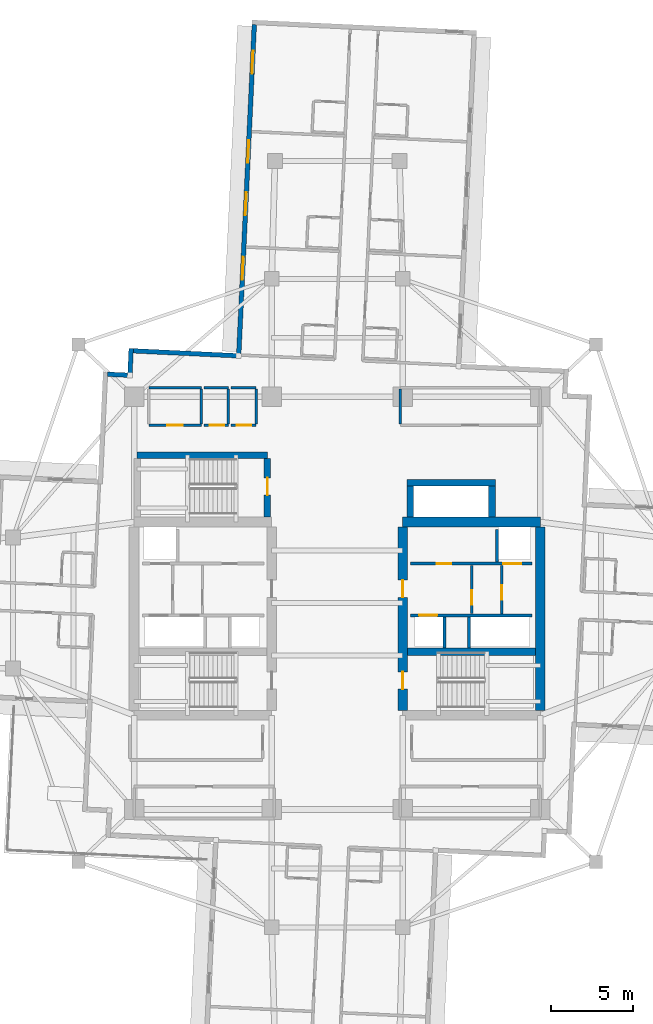
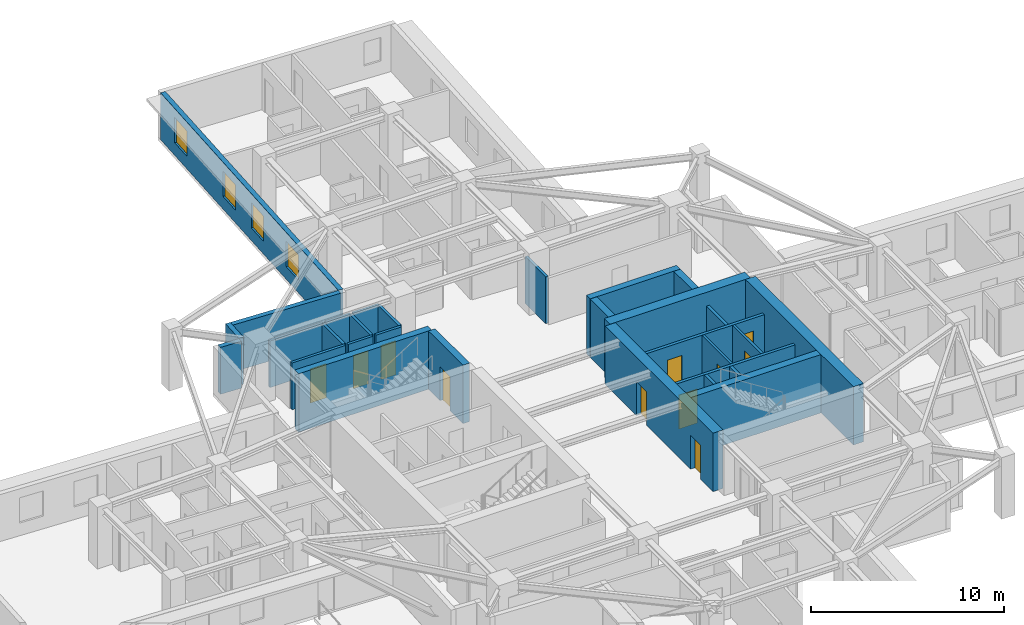
# One storey, part 6 of 14: 30 walls, 11 doors, 4 windows, 15 openings.
"""IFC4 building model written with IfcOpenShell, lengths in metres."""

from ifc_helpers import new_model, si_unit, direction, frame, frame_2d, origin, place, context, subcontext, project, spatial, rectangle, extrude, material, layer, layer_set, type_object, element, fill, save


model = new_model("IFC4")

# Units and contexts
model_context = context("Model", 3, precision=1e-05, world=origin(), true_north=direction((0.0, 1.0)))
body_context = subcontext(model_context, "Body", "Model", "MODEL_VIEW")
ifc_project = project(units=[si_unit("LENGTHUNIT", "METRE"), si_unit("AREAUNIT", "SQUARE_METRE"), si_unit("VOLUMEUNIT", "CUBIC_METRE"), si_unit("PLANEANGLEUNIT", "RADIAN"), si_unit("MASSUNIT", "GRAM", prefix="KILO")], contexts=[model_context])

# Site, building, storey
site_placement = place(None, origin())
site = spatial("IfcSite", under=ifc_project, at=site_placement, CompositionType="ELEMENT")
building_placement = place(site_placement, origin())
building = spatial("IfcBuilding", under=site, at=building_placement, Name="Qingluan Cross Belvedere", CompositionType="ELEMENT")
storey_placement = place(building_placement, frame((0.0, 0.0, 156.60009765625)))
storey = spatial("IfcBuildingStorey", under=building, at=storey_placement, Name="L39", CompositionType="ELEMENT", Elevation=156.60009765625)

# Walls
ifc_material_1 = material(Name="Concrete C50", Category="concrete")
ifc_layer_1 = layer(ifc_material_1, 0.449951171875, Name="CoreShearWall_450")
ifc_layer_set_1 = layer_set([ifc_layer_1], Name="Concrete C50")
wall_type_1 = type_object("IfcWallType", Name="CoreShearWall_450", PredefinedType="SHEAR", material=ifc_layer_set_1)
wall_1_placement = place(storey_placement, frame((4.304931640625, -2.9599609375, 0.0), z_axis=(0.0, 0.0, 1.0), x_axis=(1.0, 0.0, 0.0)))
element("IfcWall", 1, at=wall_1_placement, inside=storey, type_object=wall_type_1, Name="Split core E shear wall L39-M", PredefinedType="SHEAR", context=body_context, shape_type="SweptSolid", body=[
    extrude(rectangle(XDim=7.7900390625, YDim=0.449951171875, at=frame_2d((3.89501953125, 0.0))), origin(), (0.0, 0.0, 1.0), 3.699951171875),
])
wall_2_placement = place(storey_placement, frame((-12.219970703125, 9.0400390625, 0.0), z_axis=(0.0, 0.0, 1.0), x_axis=(1.0, 0.0, 0.0)))
element("IfcWall", 2, at=wall_2_placement, inside=storey, type_object=wall_type_1, Name="Stair ST3 structural wall N L39", PredefinedType="SHEAR", context=body_context, shape_type="SweptSolid", body=[
    extrude(rectangle(XDim=7.9599609375, YDim=0.39990234375, at=frame_2d((3.97998046875, 0.0))), origin(), (0.0, 0.0, 1.0), 3.699951171875),
])

# Wall, opening, door
wall_3_placement = place(storey_placement, frame((-4.260009765625, 5.2548828125, 0.0), z_axis=(0.0, 0.0, 1.0), x_axis=(0.0, 1.0, 0.0)))
wall_3 = element("IfcWall", 3, at=wall_3_placement, inside=storey, type_object=wall_type_1, Name="Stair ST3 structural wall E L39", PredefinedType="SHEAR", context=body_context, shape_type="SweptSolid", body=[
    extrude(rectangle(XDim=3.580078125, YDim=0.39990234375, at=frame_2d((1.7900390625, 0.0))), origin(), (0.0, 0.0, 1.0), 3.699951171875),
])
opening_1_placement = place(wall_3_placement, frame((1.344970703125, 0.0, 0.0)))
opening_1 = element("IfcOpeningElement", 4, at=opening_1_placement, cuts=wall_3, Name="Opening FD-B11", PredefinedType="OPENING", context=body_context, shape_type="SweptSolid", body=[
    extrude(rectangle(XDim=1.050048828125, YDim=2.14990234375, at=frame_2d((0.52490234375, 1.074951171875))), frame((0.0, 0.2099609375, 0.0), z_axis=(0.0, -1.0, 0.0), x_axis=(1.0, 0.0, 0.0)), (0.0, 0.0, 1.0), 0.419921875),
])
ifc_material_2 = material(Name="Steel Class B smoke-seal fire door", Category="steel")
door_type_1 = type_object("IfcDoorType", Name="StairLobbyFireDoor_FDB", OperationType="NOTDEFINED", PredefinedType="DOOR", material=ifc_material_2)
door_1_placement = place(opening_1_placement, origin())
door_1 = element("IfcDoor", 5, at=door_1_placement, inside=storey, type_object=door_type_1, Name="Smoke-proof stair ST3 fire door L39", OperationType="SINGLE_SWING_LEFT", OverallHeight=2.14990234375, OverallWidth=1.050048828125, PredefinedType="DOOR", context=body_context, shape_type="SweptSolid", body=[
    extrude(rectangle(XDim=1.050048828125, YDim=2.14990234375, at=frame_2d((0.52490234375, 1.074951171875))), frame((0.0, 0.02490234375, 0.0), z_axis=(0.0, -1.0, 0.0), x_axis=(1.0, 0.0, 0.0)), (0.0, 0.0, 1.0), 0.050048828125),
])
fill(opening_1, door_1)

# Walls
wall_4_placement = place(storey_placement, frame((4.449951171875, 5.2548828125, 0.0), z_axis=(0.0, 0.0, 1.0), x_axis=(0.0, 1.0, 0.0)))
element("IfcWall", 6, at=wall_4_placement, inside=storey, type_object=wall_type_1, Name="Express shuttle core wall L39-W", PredefinedType="SHEAR", context=body_context, shape_type="SweptSolid", body=[
    extrude(rectangle(XDim=1.885009765625, YDim=0.39990234375, at=frame_2d((0.9423828125, 0.0))), origin(), (0.0, 0.0, 1.0), 3.699951171875),
])
wall_5_placement = place(storey_placement, frame((4.25, 7.35009765625, 0.0), z_axis=(0.0, 0.0, 1.0), x_axis=(1.0, 0.0, 0.0)))
element("IfcWall", 7, at=wall_5_placement, inside=storey, type_object=wall_type_1, Name="Express shuttle core wall L39-N", PredefinedType="SHEAR", context=body_context, shape_type="SweptSolid", body=[
    extrude(rectangle(XDim=5.39990234375, YDim=0.39990234375, at=frame_2d((2.699951171875, 0.0))), origin(), (0.0, 0.0, 1.0), 3.699951171875),
])
wall_6_placement = place(storey_placement, frame((9.449951171875, 5.2548828125, 0.0), z_axis=(0.0, 0.0, 1.0), x_axis=(0.0, 1.0, 0.0)))
element("IfcWall", 8, at=wall_6_placement, inside=storey, type_object=wall_type_1, Name="Express shuttle core wall L39-E", PredefinedType="SHEAR", context=body_context, shape_type="SweptSolid", body=[
    extrude(rectangle(XDim=1.885009765625, YDim=0.39990234375, at=frame_2d((0.9423828125, 0.0))), origin(), (0.0, 0.0, 1.0), 3.699951171875),
])
ifc_material_3 = material(Name="Concrete C60", Category="concrete")
ifc_layer_2 = layer(ifc_material_3, 0.60009765625, Name="CoreShearWall_600")
ifc_layer_set_2 = layer_set([ifc_layer_2], Name="Concrete C60")
wall_type_2 = type_object("IfcWallType", Name="CoreShearWall_600", PredefinedType="SHEAR", material=ifc_layer_set_2)
wall_7_placement = place(storey_placement, frame((4.0, 4.949951171875, 0.0), z_axis=(0.0, 0.0, 1.0), x_axis=(1.0, 0.0, 0.0)))
element("IfcWall", 9, at=wall_7_placement, inside=storey, type_object=wall_type_2, Name="Split core E shear wall L39-N", PredefinedType="SHEAR", context=body_context, shape_type="SweptSolid", body=[
    extrude(rectangle(XDim=8.39990234375, YDim=0.60009765625, at=frame_2d((4.199951171875, 0.0))), origin(), (0.0, 0.0, 1.0), 3.699951171875),
])

# Wall, openings, doors
wall_8_placement = place(storey_placement, frame((4.0, -6.544921875, 0.0), z_axis=(0.0, 0.0, 1.0), x_axis=(0.0, 1.0, 0.0)))
wall_8 = element("IfcWall", 10, at=wall_8_placement, inside=storey, type_object=wall_type_2, Name="Split core E shear wall L39-W", PredefinedType="SHEAR", context=body_context, shape_type="SweptSolid", body=[
    extrude(rectangle(XDim=11.18994140625, YDim=0.60009765625, at=frame_2d((5.594970703125, 0.0))), origin(), (0.0, 0.0, 1.0), 3.699951171875),
])
opening_2_placement = place(wall_8_placement, frame((1.294921875, 0.0, 0.0)))
opening_2 = element("IfcOpeningElement", 11, at=opening_2_placement, cuts=wall_8, Name="Opening FD-B11", PredefinedType="OPENING", context=body_context, shape_type="SweptSolid", body=[
    extrude(rectangle(XDim=1.050048828125, YDim=2.14990234375, at=frame_2d((0.52490234375, 1.074951171875))), frame((0.0, 0.31005859375, 0.0), z_axis=(0.0, -1.0, 0.0), x_axis=(1.0, 0.0, 0.0)), (0.0, 0.0, 1.0), 0.6201171875),
])
opening_3_placement = place(wall_8_placement, frame((6.89501953125, 0.0, 0.0)))
opening_3 = element("IfcOpeningElement", 12, at=opening_3_placement, cuts=wall_8, Name="Opening FD-B11", PredefinedType="OPENING", context=body_context, shape_type="SweptSolid", body=[
    extrude(rectangle(XDim=1.050048828125, YDim=2.14990234375, at=frame_2d((0.52490234375, 1.074951171875))), frame((0.0, 0.31005859375, 0.0), z_axis=(0.0, -1.0, 0.0), x_axis=(1.0, 0.0, 0.0)), (0.0, 0.0, 1.0), 0.6201171875),
])
door_2_placement = place(opening_2_placement, origin())
door_2 = element("IfcDoor", 13, at=door_2_placement, inside=storey, type_object=door_type_1, Name="Smoke-proof stair ST2 fire door L39", OperationType="SINGLE_SWING_RIGHT", OverallHeight=2.14990234375, OverallWidth=1.050048828125, PredefinedType="DOOR", context=body_context, shape_type="SweptSolid", body=[
    extrude(rectangle(XDim=1.050048828125, YDim=2.14990234375, at=frame_2d((0.52490234375, 1.074951171875))), frame((0.0, 0.02490234375, 0.0), z_axis=(0.0, -1.0, 0.0), x_axis=(1.0, 0.0, 0.0)), (0.0, 0.0, 1.0), 0.050048828125),
])
fill(opening_2, door_2)
door_3_placement = place(opening_3_placement, origin())
door_3 = element("IfcDoor", 14, at=door_3_placement, inside=storey, type_object=door_type_1, Name="Firefighting lobby East fire door L39", OperationType="SINGLE_SWING_RIGHT", OverallHeight=2.14990234375, OverallWidth=1.050048828125, PredefinedType="DOOR", context=body_context, shape_type="SweptSolid", body=[
    extrude(rectangle(XDim=1.050048828125, YDim=2.14990234375, at=frame_2d((0.52490234375, 1.074951171875))), frame((0.0, 0.02490234375, 0.0), z_axis=(0.0, -1.0, 0.0), x_axis=(1.0, 0.0, 0.0)), (0.0, 0.0, 1.0), 0.050048828125),
])
fill(opening_3, door_3)

# Wall
wall_9_placement = place(storey_placement, frame((12.39990234375, -6.544921875, 0.0), z_axis=(0.0, 0.0, 1.0), x_axis=(0.0, 1.0, 0.0)))
element("IfcWall", 15, at=wall_9_placement, inside=storey, type_object=wall_type_2, Name="Split core E shear wall L39-E", PredefinedType="SHEAR", context=body_context, shape_type="SweptSolid", body=[
    extrude(rectangle(XDim=11.18994140625, YDim=0.60009765625, at=frame_2d((5.594970703125, 0.0))), origin(), (0.0, 0.0, 1.0), 3.699951171875),
])

# Wall, opening, door
ifc_material_4 = material(Name="Gypsum plasterboard on steel stud acoustic partition", Category="steel")
ifc_layer_3 = layer(ifc_material_4, 0.159912109375, Name="CorridorPartition_160")
ifc_layer_set_3 = layer_set([ifc_layer_3], Name="Gypsum plasterboard on steel stud acoustic partition")
wall_type_3 = type_object("IfcWallType", Name="CorridorPartition_160", PredefinedType="PARTITIONING", material=ifc_layer_set_3)
wall_10_placement = place(storey_placement, frame((10.050048828125, -0.652099609375, 0.0), z_axis=(0.0, 0.0, 1.0), x_axis=(0.0, 1.0, 0.0)))
wall_10 = element("IfcWall", 16, at=wall_10_placement, inside=storey, type_object=wall_type_3, Name="Partition L39:ev", PredefinedType="PARTITIONING", context=body_context, shape_type="SweptSolid", body=[
    extrude(rectangle(XDim=2.962158203125, YDim=0.139892578125, at=frame_2d((1.48095703125, 0.0))), origin(), (0.0, 0.0, 1.0), 2.9599609375),
])
opening_4_placement = place(wall_10_placement, frame((0.85009765625, 0.0, 0.0)))
opening_4 = element("IfcOpeningElement", 17, at=opening_4_placement, cuts=wall_10, Name="Opening FD-B10", PredefinedType="OPENING", context=body_context, shape_type="SweptSolid", body=[
    extrude(rectangle(XDim=0.8798828125, YDim=2.10009765625, at=frame_2d((0.43994140625, 1.050048828125))), frame((0.0, 0.079833984375, 0.0), z_axis=(0.0, -1.0, 0.0), x_axis=(1.0, 0.0, 0.0)), (0.0, 0.0, 1.0), 0.159912109375),
])
ifc_material_5 = material(Name="Steel Class B service fire door", Category="steel")
door_type_2 = type_object("IfcDoorType", Name="RiserServiceFireDoor_FDB", OperationType="NOTDEFINED", PredefinedType="DOOR", material=ifc_material_5)
door_4_placement = place(opening_4_placement, origin())
door_4 = element("IfcDoor", 18, at=door_4_placement, inside=storey, type_object=door_type_2, Name="Service closet inner door L39", OperationType="SINGLE_SWING_LEFT", OverallHeight=2.10009765625, OverallWidth=0.8798828125, PredefinedType="DOOR", context=body_context, shape_type="SweptSolid", body=[
    extrude(rectangle(XDim=0.8798828125, YDim=2.10009765625, at=frame_2d((0.43994140625, 1.050048828125))), frame((0.0, 0.02490234375, 0.0), z_axis=(0.0, -1.0, 0.0), x_axis=(1.0, 0.0, 0.0)), (0.0, 0.0, 1.0), 0.050048828125),
])
fill(opening_4, door_4)

wall_11_placement = place(storey_placement, frame((-11.5, 10.85009765625, 0.0), z_axis=(0.0, 0.0, 1.0), x_axis=(1.0, 0.0, 0.0)))
wall_11 = element("IfcWall", 19, at=wall_11_placement, inside=storey, type_object=wall_type_3, Name="Partition L39:q_nw_occ:S", PredefinedType="PARTITIONING", context=body_context, shape_type="SweptSolid", body=[
    extrude(rectangle(XDim=3.199951171875, YDim=0.159912109375, at=frame_2d((1.60009765625, 0.0))), origin(), (0.0, 0.0, 1.0), 2.9599609375),
])
opening_5_placement = place(wall_11_placement, frame((1.1201171875, 0.0, 0.0)))
opening_5 = element("IfcOpeningElement", 20, at=opening_5_placement, cuts=wall_11, Name="Opening GD-10", PredefinedType="OPENING", context=body_context, shape_type="SweptSolid", body=[
    extrude(rectangle(XDim=0.9599609375, YDim=2.14990234375, at=frame_2d((0.47998046875, 1.074951171875))), frame((0.0, 0.08984375, 0.0), z_axis=(0.0, -1.0, 0.0), x_axis=(1.0, 0.0, 0.0)), (0.0, 0.0, 1.0), 0.179931640625),
])
ifc_material_6 = material(Name="Timber oak fire-rated acoustic guestroom door", Category="wood")
door_type_3 = type_object("IfcDoorType", Name="GuestEntryDoor_FD60", OperationType="NOTDEFINED", PredefinedType="DOOR", material=ifc_material_6)
door_5_placement = place(opening_5_placement, origin())
door_5 = element("IfcDoor", 21, at=door_5_placement, inside=storey, type_object=door_type_3, Name="Northwest corner reading salon L39 door", OperationType="SINGLE_SWING_RIGHT", OverallHeight=2.14990234375, OverallWidth=0.9599609375, PredefinedType="DOOR", context=body_context, shape_type="SweptSolid", body=[
    extrude(rectangle(XDim=0.9599609375, YDim=2.14990234375, at=frame_2d((0.47998046875, 1.074951171875))), frame((0.0, 0.02490234375, 0.0), z_axis=(0.0, -1.0, 0.0), x_axis=(1.0, 0.0, 0.0)), (0.0, 0.0, 1.0), 0.050048828125),
])
fill(opening_5, door_5)

# Walls
wall_12_placement = place(storey_placement, frame((-11.5, 13.14990234375, 0.0), z_axis=(0.0, 0.0, 1.0), x_axis=(1.0, 0.0, 0.0)))
element("IfcWall", 22, at=wall_12_placement, inside=storey, type_object=wall_type_3, Name="Partition L39:q_nw_occ:N", PredefinedType="PARTITIONING", context=body_context, shape_type="SweptSolid", body=[
    extrude(rectangle(XDim=3.199951171875, YDim=0.159912109375, at=frame_2d((1.60009765625, 0.0))), origin(), (0.0, 0.0, 1.0), 2.9599609375),
])
wall_13_placement = place(storey_placement, frame((-8.300048828125, 10.93505859375, 0.0), z_axis=(0.0, 0.0, 1.0), x_axis=(0.0, 1.0, 0.0)))
element("IfcWall", 23, at=wall_13_placement, inside=storey, type_object=wall_type_3, Name="Partition L39:q_nw_occ:E", PredefinedType="PARTITIONING", context=body_context, shape_type="SweptSolid", body=[
    extrude(rectangle(XDim=2.1298828125, YDim=0.159912109375, at=frame_2d((1.06494140625, 0.0))), origin(), (0.0, 0.0, 1.0), 2.9599609375),
])

# Wall, opening, door
wall_14_placement = place(storey_placement, frame((-8.139892578125, 10.85009765625, 0.0), z_axis=(0.0, 0.0, 1.0), x_axis=(1.0, 0.0, 0.0)))
wall_14 = element("IfcWall", 24, at=wall_14_placement, inside=storey, type_object=wall_type_3, Name="Partition L39:hk_linen:S", PredefinedType="PARTITIONING", context=body_context, shape_type="SweptSolid", body=[
    extrude(rectangle(XDim=1.489990234375, YDim=0.159912109375, at=frame_2d((0.7451171875, 0.0))), origin(), (0.0, 0.0, 1.0), 2.9599609375),
])
opening_6_placement = place(wall_14_placement, frame((0.35009765625, 0.0, 0.0)))
opening_6 = element("IfcOpeningElement", 25, at=opening_6_placement, cuts=wall_14, Name="Opening FD-B10", PredefinedType="OPENING", context=body_context, shape_type="SweptSolid", body=[
    extrude(rectangle(XDim=0.8798828125, YDim=2.10009765625, at=frame_2d((0.43994140625, 1.050048828125))), frame((0.0, 0.08984375, 0.0), z_axis=(0.0, -1.0, 0.0), x_axis=(1.0, 0.0, 0.0)), (0.0, 0.0, 1.0), 0.179931640625),
])
door_6_placement = place(opening_6_placement, origin())
door_6 = element("IfcDoor", 26, at=door_6_placement, inside=storey, type_object=door_type_2, Name="Housekeeping and linen store L39 door", OperationType="SINGLE_SWING_LEFT", OverallHeight=2.10009765625, OverallWidth=0.8798828125, PredefinedType="DOOR", context=body_context, shape_type="SweptSolid", body=[
    extrude(rectangle(XDim=0.8798828125, YDim=2.10009765625, at=frame_2d((0.43994140625, 1.050048828125))), frame((0.0, 0.02490234375, 0.0), z_axis=(0.0, -1.0, 0.0), x_axis=(1.0, 0.0, 0.0)), (0.0, 0.0, 1.0), 0.050048828125),
])
fill(opening_6, door_6)

# Walls
wall_15_placement = place(storey_placement, frame((-8.139892578125, 13.14990234375, 0.0), z_axis=(0.0, 0.0, 1.0), x_axis=(1.0, 0.0, 0.0)))
element("IfcWall", 27, at=wall_15_placement, inside=storey, type_object=wall_type_3, Name="Partition L39:hk_linen:N", PredefinedType="PARTITIONING", context=body_context, shape_type="SweptSolid", body=[
    extrude(rectangle(XDim=1.489990234375, YDim=0.159912109375, at=frame_2d((0.7451171875, 0.0))), origin(), (0.0, 0.0, 1.0), 2.9599609375),
])
wall_16_placement = place(storey_placement, frame((-6.64990234375, 10.93505859375, 0.0), z_axis=(0.0, 0.0, 1.0), x_axis=(0.0, 1.0, 0.0)))
element("IfcWall", 28, at=wall_16_placement, inside=storey, type_object=wall_type_3, Name="Partition L39:hk_linen:E", PredefinedType="PARTITIONING", context=body_context, shape_type="SweptSolid", body=[
    extrude(rectangle(XDim=2.1298828125, YDim=0.159912109375, at=frame_2d((1.06494140625, 0.0))), origin(), (0.0, 0.0, 1.0), 2.9599609375),
])

# Wall, opening, door
wall_17_placement = place(storey_placement, frame((-6.489990234375, 10.85009765625, 0.0), z_axis=(0.0, 0.0, 1.0), x_axis=(1.0, 0.0, 0.0)))
wall_17 = element("IfcWall", 29, at=wall_17_placement, inside=storey, type_object=wall_type_3, Name="Partition L39:floor_acc_wc:S", PredefinedType="PARTITIONING", context=body_context, shape_type="SweptSolid", body=[
    extrude(rectangle(XDim=1.5400390625, YDim=0.159912109375, at=frame_2d((0.77001953125, 0.0))), origin(), (0.0, 0.0, 1.0), 2.9599609375),
])
opening_7_placement = place(wall_17_placement, frame((0.35009765625, 0.0, 0.0)))
opening_7 = element("IfcOpeningElement", 30, at=opening_7_placement, cuts=wall_17, Name="Opening BD-08", PredefinedType="OPENING", context=body_context, shape_type="SweptSolid", body=[
    extrude(rectangle(XDim=0.8798828125, YDim=2.14990234375, at=frame_2d((0.43994140625, 1.074951171875))), frame((0.0, 0.08984375, 0.0), z_axis=(0.0, -1.0, 0.0), x_axis=(1.0, 0.0, 0.0)), (0.0, 0.0, 1.0), 0.179931640625),
])
ifc_material_7 = material(Name="Moisture-sealed timber accessible WC door", Category="wood")
door_type_4 = type_object("IfcDoorType", Name="AccessibleWCDoor_880", OperationType="NOTDEFINED", PredefinedType="DOOR", material=ifc_material_7)
door_7_placement = place(opening_7_placement, origin())
door_7 = element("IfcDoor", 31, at=door_7_placement, inside=storey, type_object=door_type_4, Name="Accessible guest washroom L39 door", OperationType="SINGLE_SWING_RIGHT", OverallHeight=2.14990234375, OverallWidth=0.8798828125, PredefinedType="DOOR", context=body_context, shape_type="SweptSolid", body=[
    extrude(rectangle(XDim=0.8798828125, YDim=2.14990234375, at=frame_2d((0.43994140625, 1.074951171875))), frame((0.0, 0.02490234375, 0.0), z_axis=(0.0, -1.0, 0.0), x_axis=(1.0, 0.0, 0.0)), (0.0, 0.0, 1.0), 0.050048828125),
])
fill(opening_7, door_7)

# Walls
wall_18_placement = place(storey_placement, frame((-6.489990234375, 13.14990234375, 0.0), z_axis=(0.0, 0.0, 1.0), x_axis=(1.0, 0.0, 0.0)))
element("IfcWall", 32, at=wall_18_placement, inside=storey, type_object=wall_type_3, Name="Partition L39:floor_acc_wc:N", PredefinedType="PARTITIONING", context=body_context, shape_type="SweptSolid", body=[
    extrude(rectangle(XDim=1.5400390625, YDim=0.159912109375, at=frame_2d((0.77001953125, 0.0))), origin(), (0.0, 0.0, 1.0), 2.9599609375),
])
for number, where, z_axis, x_axis, name in (
    (33, (-4.949951171875, 10.93505859375, 0.0), (0.0, 0.0, 1.0), (0.0, 1.0, 0.0), "Partition L39:floor_acc_wc:E"),
    (34, (3.85009765625, 10.93505859375, 0.0), (0.0, 0.0, 1.0), (0.0, 1.0, 0.0), "Partition L39:q_ne:W"),
):
    element("IfcWall", number, at=place(storey_placement, frame(where, z_axis=z_axis, x_axis=x_axis)), inside=storey, type_object=wall_type_3, Name=name, PredefinedType="PARTITIONING", context=body_context, shape_type="SweptSolid", body=[
        extrude(rectangle(XDim=2.1298828125, YDim=0.159912109375, at=frame_2d((1.06494140625, 0.0))), origin(), (0.0, 0.0, 1.0), 2.9599609375),
    ])

# Wall, openings, windows
ifc_material_8 = material(Name="Precast concrete C45", Category="concrete")
ifc_layer_4 = layer(ifc_material_8, 0.280029296875, Name="PrecastFacadeWall_280")
ifc_layer_set_4 = layer_set([ifc_layer_4], Name="Precast concrete C45")
wall_type_4 = type_object("IfcWallType", Name="PrecastFacadeWall_280", PredefinedType="STANDARD", material=ifc_layer_set_4)
wall_19_placement = place(storey_placement, frame((-5.06201171875, 35.317626953125, 0.0), z_axis=(0.0, 0.0, 1.0), x_axis=(-0.047103473814, -0.998890015344, 0.0)))
wall_19 = element("IfcWall", 35, at=wall_19_placement, inside=storey, type_object=wall_type_4, Name="Facade wall L39-NB", PredefinedType="STANDARD", context=body_context, shape_type="SweptSolid", body=[
    extrude(rectangle(XDim=20.099853515625, YDim=0.280029296875, at=frame_2d((10.0498046875, 0.0))), origin(), (0.0, 0.0, 1.0), 2.969970703125),
])
opening_8_placement = place(wall_19_placement, frame((1.60009765625, 0.0, 0.800048828125)))
opening_8 = element("IfcOpeningElement", 36, at=opening_8_placement, cuts=wall_19, Name="Opening W-01", PredefinedType="OPENING", context=body_context, shape_type="SweptSolid", body=[
    extrude(rectangle(XDim=1.39990234375, YDim=1.60009765625, at=frame_2d((0.699951171875, 0.800048828125))), frame((0.0, 0.14990234375, 0.0), z_axis=(0.0, -1.0, 0.0), x_axis=(1.0, 0.0, 0.0)), (0.0, 0.0, 1.0), 0.300048828125),
])
opening_9_placement = place(wall_19_placement, frame((7.050048828125, 0.0, 0.800048828125)))
opening_9 = element("IfcOpeningElement", 37, at=opening_9_placement, cuts=wall_19, Name="Opening W-01", PredefinedType="OPENING", context=body_context, shape_type="SweptSolid", body=[
    extrude(rectangle(XDim=1.39990234375, YDim=1.60009765625, at=frame_2d((0.699951171875, 0.800048828125))), frame((0.0, 0.14990234375, 0.0), z_axis=(0.0, -1.0, 0.0), x_axis=(1.0, 0.0, 0.0)), (0.0, 0.0, 1.0), 0.300048828125),
])
opening_10_placement = place(wall_19_placement, frame((10.25, 0.0, 0.800048828125)))
opening_10 = element("IfcOpeningElement", 38, at=opening_10_placement, cuts=wall_19, Name="Opening W-01", PredefinedType="OPENING", context=body_context, shape_type="SweptSolid", body=[
    extrude(rectangle(XDim=1.39990234375, YDim=1.60009765625, at=frame_2d((0.699951171875, 0.800048828125))), frame((0.0, 0.14990234375, 0.0), z_axis=(0.0, -1.0, 0.0), x_axis=(1.0, 0.0, 0.0)), (0.0, 0.0, 1.0), 0.300048828125),
])
opening_11_placement = place(wall_19_placement, frame((14.199951171875, 0.0, 0.800048828125)))
opening_11 = element("IfcOpeningElement", 39, at=opening_11_placement, cuts=wall_19, Name="Opening W-01", PredefinedType="OPENING", context=body_context, shape_type="SweptSolid", body=[
    extrude(rectangle(XDim=1.39990234375, YDim=1.60009765625, at=frame_2d((0.699951171875, 0.800048828125))), frame((0.0, 0.14990234375, 0.0), z_axis=(0.0, -1.0, 0.0), x_axis=(1.0, 0.0, 0.0)), (0.0, 0.0, 1.0), 0.300048828125),
])
ifc_material_9 = material(Name="Thermally broken triple Low-E glass in aluminium frame", Category="aluminium")
window_type = type_object("IfcWindowType", Name="TriRibbonWin_1400x1600", PartitioningType="SINGLE_PANEL", PredefinedType="WINDOW", material=ifc_material_9)
window_1_placement = place(opening_8_placement, origin())
window_1 = element("IfcWindow", 40, at=window_1_placement, inside=storey, type_object=window_type, Name="Ribbon window L39-NB-1", OverallHeight=1.60009765625, OverallWidth=1.39990234375, PartitioningType="SINGLE_PANEL", PredefinedType="WINDOW", context=body_context, shape_type="SweptSolid", body=[
    extrude(rectangle(XDim=1.39990234375, YDim=1.60009765625, at=frame_2d((0.699951171875, 0.800048828125))), frame((0.0, 0.030029296875, 0.0), z_axis=(0.0, -1.0, 0.0), x_axis=(1.0, 0.0, 0.0)), (0.0, 0.0, 1.0), 0.06005859375),
])
fill(opening_8, window_1)
window_2_placement = place(opening_9_placement, origin())
window_2 = element("IfcWindow", 41, at=window_2_placement, inside=storey, type_object=window_type, Name="Ribbon window L39-NB-2", OverallHeight=1.60009765625, OverallWidth=1.39990234375, PartitioningType="SINGLE_PANEL", PredefinedType="WINDOW", context=body_context, shape_type="SweptSolid", body=[
    extrude(rectangle(XDim=1.39990234375, YDim=1.60009765625, at=frame_2d((0.699951171875, 0.800048828125))), frame((0.0, 0.030029296875, 0.0), z_axis=(0.0, -1.0, 0.0), x_axis=(1.0, 0.0, 0.0)), (0.0, 0.0, 1.0), 0.06005859375),
])
fill(opening_9, window_2)
window_3_placement = place(opening_10_placement, origin())
window_3 = element("IfcWindow", 42, at=window_3_placement, inside=storey, type_object=window_type, Name="Ribbon window L39-NB-3", OverallHeight=1.60009765625, OverallWidth=1.39990234375, PartitioningType="SINGLE_PANEL", PredefinedType="WINDOW", context=body_context, shape_type="SweptSolid", body=[
    extrude(rectangle(XDim=1.39990234375, YDim=1.60009765625, at=frame_2d((0.699951171875, 0.800048828125))), frame((0.0, 0.030029296875, 0.0), z_axis=(0.0, -1.0, 0.0), x_axis=(1.0, 0.0, 0.0)), (0.0, 0.0, 1.0), 0.06005859375),
])
fill(opening_10, window_3)
window_4_placement = place(opening_11_placement, origin())
window_4 = element("IfcWindow", 43, at=window_4_placement, inside=storey, type_object=window_type, Name="Ribbon window L39-NB-4", OverallHeight=1.60009765625, OverallWidth=1.39990234375, PartitioningType="SINGLE_PANEL", PredefinedType="WINDOW", context=body_context, shape_type="SweptSolid", body=[
    extrude(rectangle(XDim=1.39990234375, YDim=1.60009765625, at=frame_2d((0.699951171875, 0.800048828125))), frame((0.0, 0.030029296875, 0.0), z_axis=(0.0, -1.0, 0.0), x_axis=(1.0, 0.0, 0.0)), (0.0, 0.0, 1.0), 0.06005859375),
])
fill(opening_11, window_4)

# Walls
wall_20_placement = place(storey_placement, frame((-14.01708984375, 13.975830078125, 0.0), z_axis=(0.0, 0.0, 1.0), x_axis=(0.998883930236, -0.047232339719, 0.0)))
element("IfcWall", 44, at=wall_20_placement, inside=storey, type_object=wall_type_4, Name="Corner wall L39-NW2", PredefinedType="STANDARD", context=body_context, shape_type="SweptSolid", body=[
    extrude(rectangle(XDim=1.219970703125, YDim=0.280029296875, at=frame_2d((0.60986328125, 0.0))), origin(), (0.0, 0.0, 1.0), 2.969970703125),
])
wall_21_placement = place(storey_placement, frame((-12.652099609375, 14.051513671875, 0.0), z_axis=(0.0, 0.0, 1.0), x_axis=(0.047039284441, 0.99889304018, 0.0)))
element("IfcWall", 45, at=wall_21_placement, inside=storey, type_object=wall_type_4, Name="Corner wall L39-NW3", PredefinedType="STANDARD", context=body_context, shape_type="SweptSolid", body=[
    extrude(rectangle(XDim=1.5, YDim=0.280029296875, at=frame_2d((0.75, 0.0))), origin(), (0.0, 0.0, 1.0), 2.969970703125),
])
wall_22_placement = place(storey_placement, frame((-12.4482421875, 15.403564453125, 0.0), z_axis=(0.0, 0.0, 1.0), x_axis=(0.998889082162, -0.047123258997, 0.0)))
element("IfcWall", 46, at=wall_22_placement, inside=storey, type_object=wall_type_4, Name="Corner wall L39-NW4", PredefinedType="STANDARD", context=body_context, shape_type="SweptSolid", body=[
    extrude(rectangle(XDim=6.300048828125, YDim=0.280029296875, at=frame_2d((3.14990234375, 0.0))), origin(), (0.0, 0.0, 1.0), 2.969970703125),
])

# Wall, openings, doors
ifc_material_10 = material(Name="Concrete C40", Category="concrete")
ifc_layer_5 = layer(ifc_material_10, 0.219970703125, Name="ShaftEnclosureWall_250")
ifc_layer_set_5 = layer_set([ifc_layer_5], Name="Concrete C40")
wall_type_5 = type_object("IfcWallType", Name="ShaftEnclosureWall_250", PredefinedType="SOLIDWALL", material=ifc_layer_set_5)
wall_23_placement = place(storey_placement, frame((4.47998046875, 2.409912109375, 0.0), z_axis=(0.0, 0.0, 1.0), x_axis=(1.0, 0.0, 0.0)))
wall_23 = element("IfcWall", 47, at=wall_23_placement, inside=storey, type_object=wall_type_5, Name="Core-E north hoistway wall L39", PredefinedType="SOLIDWALL", context=body_context, shape_type="SweptSolid", body=[
    extrude(rectangle(XDim=7.419921875, YDim=0.179931640625, at=frame_2d((3.7099609375, 0.0))), origin(), (0.0, 0.0, 1.0), 2.9599609375),
])
opening_12_placement = place(wall_23_placement, frame((5.669921875, 0.0, 0.0)))
opening_12 = element("IfcOpeningElement", 48, at=opening_12_placement, cuts=wall_23, Name="Opening LD-11", PredefinedType="OPENING", context=body_context, shape_type="SweptSolid", body=[
    extrude(rectangle(XDim=1.10009765625, YDim=2.14990234375, at=frame_2d((0.550048828125, 1.074951171875))), frame((0.0, 0.099853515625, 0.0), z_axis=(0.0, -1.0, 0.0), x_axis=(1.0, 0.0, 0.0)), (0.0, 0.0, 1.0), 0.199951171875),
])
opening_13_placement = place(wall_23_placement, frame((1.60009765625, 0.0, 0.0)))
opening_13 = element("IfcOpeningElement", 49, at=opening_13_placement, cuts=wall_23, Name="Opening FD-B10", PredefinedType="OPENING", context=body_context, shape_type="SweptSolid", body=[
    extrude(rectangle(XDim=0.8798828125, YDim=2.10009765625, at=frame_2d((0.43994140625, 1.050048828125))), frame((0.0, 0.099853515625, 0.0), z_axis=(0.0, -1.0, 0.0), x_axis=(1.0, 0.0, 0.0)), (0.0, 0.0, 1.0), 0.199951171875),
])
ifc_material_11 = material(Name="Brushed stainless steel centre-opening lift landing door", Category="steel")
door_type_5 = type_object("IfcDoorType", Name="LiftLandingSlidingDoor_1100", OperationType="DOUBLE_DOOR_SLIDING", PredefinedType="DOOR", material=ifc_material_11)
door_8_placement = place(opening_12_placement, origin())
door_8 = element("IfcDoor", 50, at=door_8_placement, inside=storey, type_object=door_type_5, Name="Lift landing sliding door FL2 L39", OperationType="DOUBLE_DOOR_SLIDING", OverallHeight=2.14990234375, OverallWidth=1.10009765625, PredefinedType="DOOR", context=body_context, shape_type="SweptSolid", body=[
    extrude(rectangle(XDim=1.10009765625, YDim=2.14990234375, at=frame_2d((0.550048828125, 1.074951171875))), frame((0.0, 0.02490234375, 0.0), z_axis=(0.0, -1.0, 0.0), x_axis=(1.0, 0.0, 0.0)), (0.0, 0.0, 1.0), 0.050048828125),
])
fill(opening_12, door_8)
door_9_placement = place(opening_13_placement, origin())
door_9 = element("IfcDoor", 51, at=door_9_placement, inside=storey, type_object=door_type_2, Name="Pantry room door E L39", OperationType="SINGLE_SWING_LEFT", OverallHeight=2.10009765625, OverallWidth=0.8798828125, PredefinedType="DOOR", context=body_context, shape_type="SweptSolid", body=[
    extrude(rectangle(XDim=0.8798828125, YDim=2.10009765625, at=frame_2d((0.43994140625, 1.050048828125))), frame((0.0, 0.02490234375, 0.0), z_axis=(0.0, -1.0, 0.0), x_axis=(1.0, 0.0, 0.0)), (0.0, 0.0, 1.0), 0.050048828125),
])
fill(opening_13, door_9)

# Wall, opening, door
wall_24_placement = place(storey_placement, frame((4.47998046875, -0.75, 0.0), z_axis=(0.0, 0.0, 1.0), x_axis=(1.0, 0.0, 0.0)))
wall_24 = element("IfcWall", 52, at=wall_24_placement, inside=storey, type_object=wall_type_5, Name="Core-E mid hoistway wall L39", PredefinedType="SOLIDWALL", context=body_context, shape_type="SweptSolid", body=[
    extrude(rectangle(XDim=7.419921875, YDim=0.179931640625, at=frame_2d((3.7099609375, 0.0))), origin(), (0.0, 0.0, 1.0), 2.9599609375),
])
opening_14_placement = place(wall_24_placement, frame((0.52001953125, 0.0, 0.0)))
opening_14 = element("IfcOpeningElement", 53, at=opening_14_placement, cuts=wall_24, Name="Opening LD-11", PredefinedType="OPENING", context=body_context, shape_type="SweptSolid", body=[
    extrude(rectangle(XDim=1.10009765625, YDim=2.14990234375, at=frame_2d((0.550048828125, 1.074951171875))), frame((0.0, 0.099853515625, 0.0), z_axis=(0.0, -1.0, 0.0), x_axis=(1.0, 0.0, 0.0)), (0.0, 0.0, 1.0), 0.199951171875),
])
door_10_placement = place(opening_14_placement, origin())
door_10 = element("IfcDoor", 54, at=door_10_placement, inside=storey, type_object=door_type_5, Name="Lift landing sliding door LP7 L39", OperationType="DOUBLE_DOOR_SLIDING", OverallHeight=2.14990234375, OverallWidth=1.10009765625, PredefinedType="DOOR", context=body_context, shape_type="SweptSolid", body=[
    extrude(rectangle(XDim=1.10009765625, YDim=2.14990234375, at=frame_2d((0.550048828125, 1.074951171875))), frame((0.0, 0.02490234375, 0.0), z_axis=(0.0, -1.0, 0.0), x_axis=(1.0, 0.0, 0.0)), (0.0, 0.0, 1.0), 0.050048828125),
])
fill(opening_14, door_10)

# Walls
wall_25_placement = place(storey_placement, frame((9.760009765625, 2.5, 0.0), z_axis=(0.0, 0.0, 1.0), x_axis=(0.0, 1.0, 0.0)))
element("IfcWall", 55, at=wall_25_placement, inside=storey, type_object=wall_type_5, Name="Hoistway enclosure divider FL2W L39", PredefinedType="SOLIDWALL", context=body_context, shape_type="SweptSolid", body=[
    extrude(rectangle(XDim=1.989990234375, YDim=0.179931640625, at=frame_2d((0.9951171875, 0.0))), origin(), (0.0, 0.0, 1.0), 2.9599609375),
])
for number, where, z_axis, x_axis, name in (
    (56, (6.5400390625, -2.72998046875, 0.0), (0.0, 0.0, 1.0), (0.0, 1.0, 0.0), "Hoistway enclosure divider LP7E L39"),
    (57, (8.06005859375, -2.72998046875, 0.0), (0.0, 0.0, 1.0), (0.0, 1.0, 0.0), "Hoistway enclosure divider LP9W L39"),
):
    element("IfcWall", number, at=place(storey_placement, frame(where, z_axis=z_axis, x_axis=x_axis)), inside=storey, type_object=wall_type_5, Name=name, PredefinedType="SOLIDWALL", context=body_context, shape_type="SweptSolid", body=[
        extrude(rectangle(XDim=1.889892578125, YDim=0.179931640625, at=frame_2d((0.94482421875, 0.0))), origin(), (0.0, 0.0, 1.0), 2.9599609375),
    ])

# Wall, opening, door
wall_26_placement = place(storey_placement, frame((8.219970703125, -0.64990234375, 0.0), z_axis=(0.0, 0.0, 1.0), x_axis=(0.0, 1.0, 0.0)))
wall_26 = element("IfcWall", 58, at=wall_26_placement, inside=storey, type_object=wall_type_5, Name="Core-E service corridor wall L39", PredefinedType="SOLIDWALL", context=body_context, shape_type="SweptSolid", body=[
    extrude(rectangle(XDim=2.9599609375, YDim=0.139892578125, at=frame_2d((1.47998046875, 0.0))), origin(), (0.0, 0.0, 1.0), 2.9599609375),
])
opening_15_placement = place(wall_26_placement, frame((0.550048828125, 0.0, 0.0)))
opening_15 = element("IfcOpeningElement", 59, at=opening_15_placement, cuts=wall_26, Name="Opening FD-B10", PredefinedType="OPENING", context=body_context, shape_type="SweptSolid", body=[
    extrude(rectangle(XDim=0.8798828125, YDim=2.10009765625, at=frame_2d((0.43994140625, 1.050048828125))), frame((0.0, 0.079833984375, 0.0), z_axis=(0.0, -1.0, 0.0), x_axis=(1.0, 0.0, 0.0)), (0.0, 0.0, 1.0), 0.159912109375),
])
door_11_placement = place(opening_15_placement, origin())
door_11 = element("IfcDoor", 60, at=door_11_placement, inside=storey, type_object=door_type_2, Name="Core-E service room door L39", OperationType="SINGLE_SWING_LEFT", OverallHeight=2.10009765625, OverallWidth=0.8798828125, PredefinedType="DOOR", context=body_context, shape_type="SweptSolid", body=[
    extrude(rectangle(XDim=0.8798828125, YDim=2.10009765625, at=frame_2d((0.43994140625, 1.050048828125))), frame((0.0, 0.02490234375, 0.0), z_axis=(0.0, -1.0, 0.0), x_axis=(1.0, 0.0, 0.0)), (0.0, 0.0, 1.0), 0.050048828125),
])
fill(opening_15, door_11)

save(model, "model.ifc")
